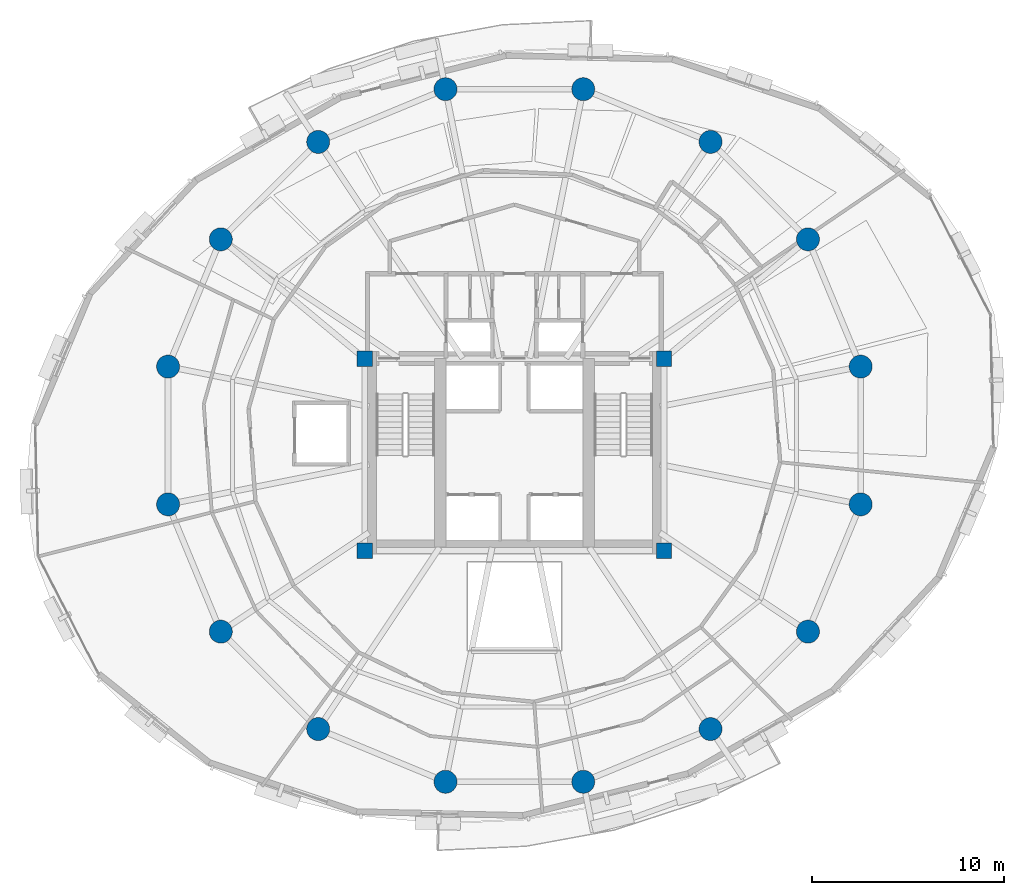
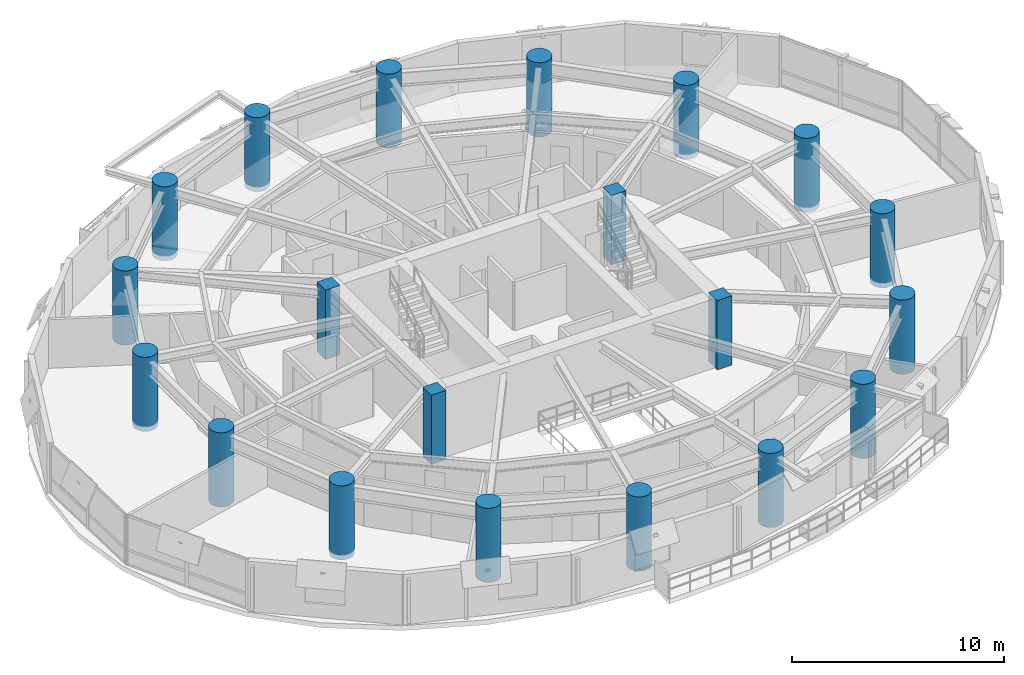
# One storey, part 1 of 15: 20 columns.
"""IFC4 building model written with IfcOpenShell, lengths in metres."""

from ifc_helpers import new_model, si_unit, direction, frame, origin, origin_2d, place, context, subcontext, project, spatial, rectangle, circle, extrude, material, material_profile, profile_set, type_object, element, save


model = new_model("IFC4")

# Units and contexts
model_context = context("Model", 3, precision=1e-05, world=origin(), true_north=direction((0.0, 1.0)))
body_context = subcontext(model_context, "Body", "Model", "MODEL_VIEW")
ifc_project = project(units=[si_unit("LENGTHUNIT", "METRE"), si_unit("AREAUNIT", "SQUARE_METRE"), si_unit("VOLUMEUNIT", "CUBIC_METRE"), si_unit("PLANEANGLEUNIT", "RADIAN"), si_unit("MASSUNIT", "GRAM", prefix="KILO"), si_unit("THERMODYNAMICTEMPERATUREUNIT", "KELVIN"), si_unit("POWERUNIT", "WATT")], contexts=[model_context])

# Site, building, storey
site_placement = place(None, origin())
site = spatial("IfcSite", under=ifc_project, at=site_placement, CompositionType="ELEMENT")
building_placement = place(site_placement, origin())
building = spatial("IfcBuilding", under=site, at=building_placement, Name="Ocrelia Relay Tower", CompositionType="ELEMENT")
storey_placement = place(building_placement, frame((0.0, 0.0, 93.800048828125)))
storey = spatial("IfcBuildingStorey", under=building, at=storey_placement, Name="L21", CompositionType="ELEMENT", Elevation=93.800048828125)

# Columns
ifc_material = material(Name="Concrete C60/75", Category="concrete")
ifc_material_profile_1 = material_profile(ifc_material, circle(Radius=0.60009765625, at=origin_2d()), Name="RC-CIR-1200")
ifc_profile_set_1 = profile_set([ifc_material_profile_1], Name="Concrete C60/75")
column_type_1 = type_object("IfcColumnType", Name="COL-CT-1200", PredefinedType="COLUMN", material=ifc_profile_set_1)
for number, where, z_axis, x_axis, name in (
    (1, (52.04638671875, 29.589599609375, -0.280029296875), (0.0, 0.0, 1.0), (1.0, 0.0, 0.0), "L21 Perimeter Ring Column C01"),
    (2, (49.299072265625, 36.222412109375, -0.280029296875), (0.0, 0.0, 1.0), (1.0, 0.0, 0.0), "L21 Perimeter Ring Column C02"),
    (3, (44.222412109375, 41.299072265625, -0.280029296875), (0.0, 0.0, 1.0), (1.0, 0.0, 0.0), "L21 Perimeter Ring Column C03"),
    (4, (37.589599609375, 44.04638671875, -0.280029296875), (0.0, 0.0, 1.0), (1.0, 0.0, 0.0), "L21 Perimeter Ring Column C04"),
    (5, (30.410400390625, 44.04638671875, -0.280029296875), (0.0, 0.0, 1.0), (1.0, 0.0, 0.0), "L21 Perimeter Ring Column C05"),
    (6, (23.777587890625, 41.299072265625, -0.280029296875), (0.0, 0.0, 1.0), (1.0, 0.0, 0.0), "L21 Perimeter Ring Column C06"),
    (7, (18.700927734375, 36.222412109375, -0.280029296875), (0.0, 0.0, 1.0), (1.0, 0.0, 0.0), "L21 Perimeter Ring Column C07"),
    (8, (15.95361328125, 29.589599609375, -0.280029296875), (0.0, 0.0, 1.0), (1.0, 0.0, 0.0), "L21 Perimeter Ring Column C08"),
    (9, (15.95361328125, 22.410400390625, -0.280029296875), (0.0, 0.0, 1.0), (1.0, 0.0, 0.0), "L21 Perimeter Ring Column C09"),
    (10, (18.700927734375, 15.777587890625, -0.280029296875), (0.0, 0.0, 1.0), (1.0, 0.0, 0.0), "L21 Perimeter Ring Column C10"),
    (11, (23.777587890625, 10.700927734375, -0.280029296875), (0.0, 0.0, 1.0), (1.0, 0.0, 0.0), "L21 Perimeter Ring Column C11"),
    (12, (30.410400390625, 7.95361328125, -0.280029296875), (0.0, 0.0, 1.0), (1.0, 0.0, 0.0), "L21 Perimeter Ring Column C12"),
    (13, (37.589599609375, 7.95361328125, -0.280029296875), (0.0, 0.0, 1.0), (1.0, 0.0, 0.0), "L21 Perimeter Ring Column C13"),
    (14, (44.222412109375, 10.700927734375, -0.280029296875), (0.0, 0.0, 1.0), (1.0, 0.0, 0.0), "L21 Perimeter Ring Column C14"),
    (15, (49.299072265625, 15.777587890625, -0.280029296875), (0.0, 0.0, 1.0), (1.0, 0.0, 0.0), "L21 Perimeter Ring Column C15"),
    (16, (52.04638671875, 22.410400390625, -0.280029296875), (0.0, 0.0, 1.0), (1.0, 0.0, 0.0), "L21 Perimeter Ring Column C16"),
):
    element("IfcColumn", number, at=place(storey_placement, frame(where, z_axis=z_axis, x_axis=x_axis)), inside=storey, type_object=column_type_1, Name=name, PredefinedType="COLUMN", context=body_context, shape_type="SweptSolid", body=[
        extrude(circle(Radius=0.60009765625, at=origin_2d()), origin(), (0.0, 0.0, 1.0), 4.280029296875),
    ])
ifc_material_profile_2 = material_profile(ifc_material, rectangle(XDim=0.800048828125, YDim=0.800048828125, at=origin_2d()), Name="RC-COL-800x800")
ifc_profile_set_2 = profile_set([ifc_material_profile_2], Name="Concrete C60/75")
column_type_2 = type_object("IfcColumnType", Name="COL-PILASTER-800", PredefinedType="PILASTER", material=ifc_profile_set_2)
for number, where, z_axis, x_axis, name in (
    (17, (26.199951171875, 20.0, 0.0), (0.0, 0.0, 1.0), (1.0, 0.0, 0.0), "L21 Core Corner Pilaster SW"),
    (18, (41.800048828125, 20.0, 0.0), (0.0, 0.0, 1.0), (1.0, 0.0, 0.0), "L21 Core Corner Pilaster SE"),
    (19, (26.199951171875, 30.0, 0.0), (0.0, 0.0, 1.0), (1.0, 0.0, 0.0), "L21 Core Corner Pilaster NW"),
    (20, (41.800048828125, 30.0, 0.0), (0.0, 0.0, 1.0), (1.0, 0.0, 0.0), "L21 Core Corner Pilaster NE"),
):
    element("IfcColumn", number, at=place(storey_placement, frame(where, z_axis=z_axis, x_axis=x_axis)), inside=storey, type_object=column_type_2, Name=name, PredefinedType="PILASTER", context=body_context, shape_type="SweptSolid", body=[
        extrude(rectangle(XDim=0.800048828125, YDim=0.800048828125, at=origin_2d()), origin(), (0.0, 0.0, 1.0), 4.0),
    ])

save(model, "model.ifc")
